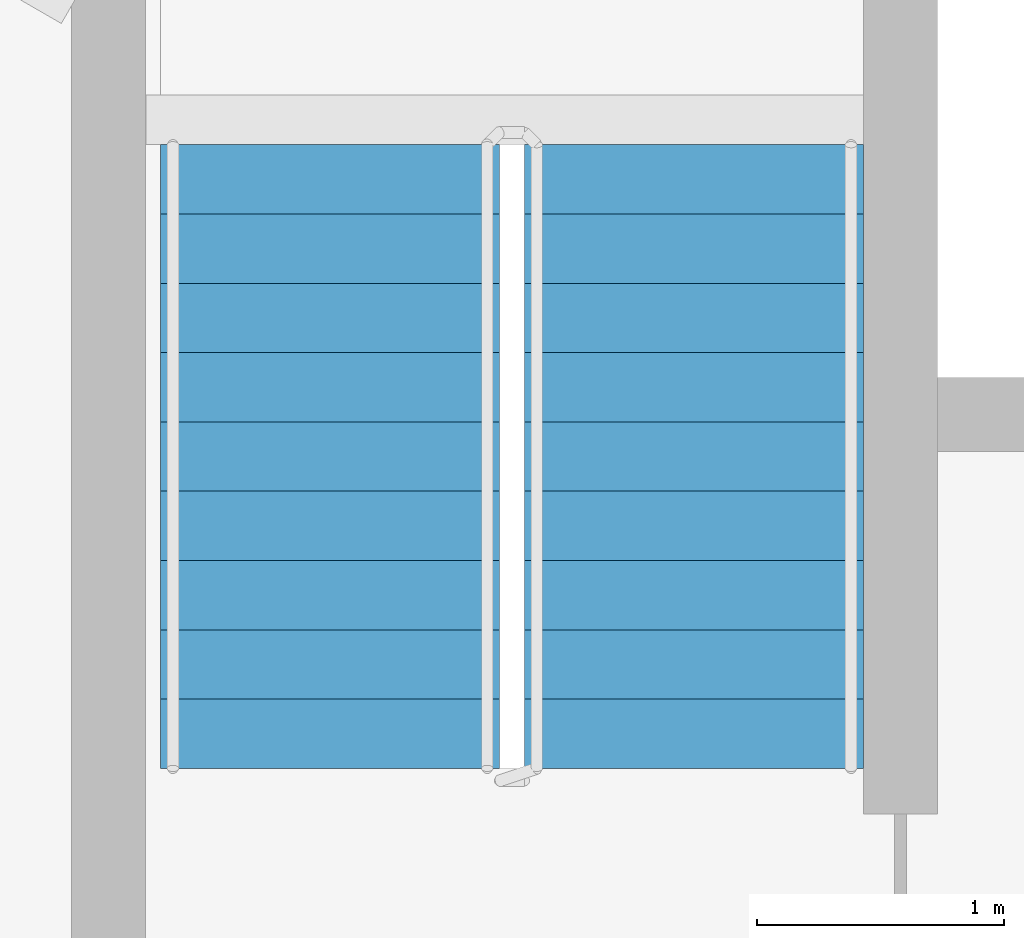
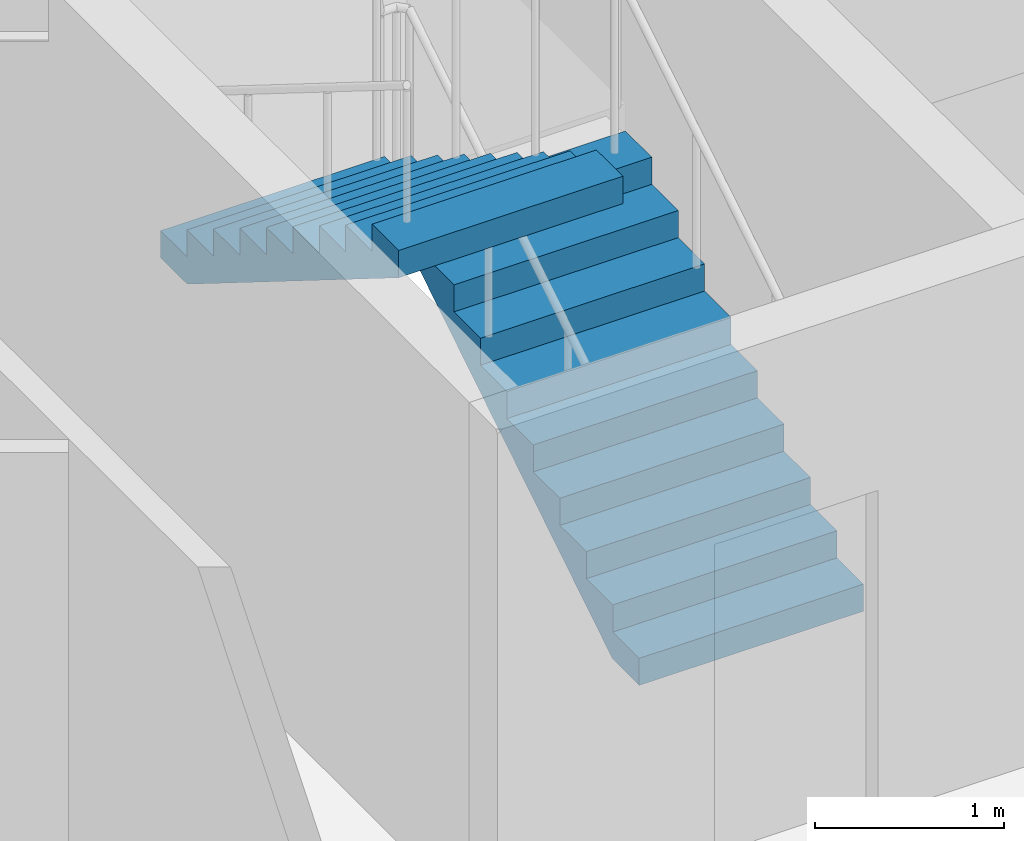
# One storey, part 22 of 24: 2 stair flights, 1 element without a shape of its own.
"""IFC4 building model written with IfcOpenShell, lengths in metres."""

from ifc_helpers import new_model, si_unit, direction, frame, origin, place, context, subcontext, project, spatial, polyline, outline, extrude, material, type_object, element, aggregate, save


model = new_model("IFC4")

# Units and contexts
model_context = context("Model", 3, precision=1e-05, world=origin(), true_north=direction((0.0, 1.0)))
body_context = subcontext(model_context, "Body", "Model", "MODEL_VIEW")
ifc_project = project(units=[si_unit("LENGTHUNIT", "METRE"), si_unit("AREAUNIT", "SQUARE_METRE"), si_unit("VOLUMEUNIT", "CUBIC_METRE"), si_unit("PLANEANGLEUNIT", "RADIAN"), si_unit("MASSUNIT", "GRAM", prefix="KILO")], contexts=[model_context])

# Site, building, storey
site_placement = place(None, origin())
site = spatial("IfcSite", under=ifc_project, at=site_placement, CompositionType="ELEMENT")
building_placement = place(site_placement, origin())
building = spatial("IfcBuilding", under=site, at=building_placement, Name="Firuza Gate Tower and Library", CompositionType="ELEMENT")
storey_placement = place(building_placement, frame((0.0, 0.0, 260.10009765625)))
storey = spatial("IfcBuildingStorey", under=building, at=storey_placement, Name="L61", CompositionType="ELEMENT", Elevation=260.10009765625)

# Stair, stair flights
ifc_material_1 = material(Name="Concrete C35/45", Category="concrete")
stair_type = type_object("IfcStairType", Name="Exit stair ST17", PredefinedType="HALF_TURN_STAIR", material=ifc_material_1)
stair_placement = place(storey_placement, origin())
stair = element("IfcStair", 1, at=stair_placement, inside=storey, type_object=stair_type, Name="L61 Stair ST3", PredefinedType="HALF_TURN_STAIR")
ifc_material_2 = material(Name="Concrete C35/45", Category="concrete")
stair_flight_type = type_object("IfcStairFlightType", Name="Stair flight 10 risers 175 width 1370", PredefinedType="STRAIGHT", material=ifc_material_2)
stair_flight_1_placement = place(storey_placement, frame((74.31494140625, 89.469970703125, 0.0), z_axis=(0.0, 0.0, 1.0), x_axis=(0.0, 1.0, 0.0)))
stair_flight_1 = element("IfcStairFlight", 2, at=stair_flight_1_placement, type_object=stair_flight_type, Name="ST3 flight 1", NumberOfRisers=10, NumberOfTreads=9, PredefinedType="STRAIGHT", RiserHeight=0.175, TreadLength=0.28, context=body_context, shape_type="SweptSolid", body=[
    extrude(outline(polyline([(0.0, 0.0), (0.0, 0.175048828125), (0.280029296875, 0.175048828125), (0.280029296875, 0.35009765625), (0.56005859375, 0.35009765625), (0.56005859375, 0.52490234375), (0.840087890625, 0.52490234375), (0.840087890625, 0.699951171875), (1.1201171875, 0.699951171875), (1.1201171875, 0.875), (1.39990234375, 0.875), (1.39990234375, 1.050048828125), (1.679931640625, 1.050048828125), (1.679931640625, 1.22509765625), (1.9599609375, 1.22509765625), (1.9599609375, 1.39990234375), (2.239990234375, 1.39990234375), (2.239990234375, 1.574951171875), (2.52001953125, 1.574951171875), (2.52001953125, 1.75), (2.52001953125, 1.398193359375), (0.28271484375, 0.0), (0.0, 0.0)])), frame((0.0, 0.68505859375, 0.0), z_axis=(0.0, -1.0, 0.0), x_axis=(1.0, 0.0, 0.0)), (0.0, 0.0, 1.0), 1.3701171875),
])
stair_flight_2_placement = place(storey_placement, frame((72.844970703125, 91.989990234375, 1.75), z_axis=(0.0, 0.0, 1.0), x_axis=(0.0, -1.0, 0.0)))
stair_flight_2 = element("IfcStairFlight", 3, at=stair_flight_2_placement, type_object=stair_flight_type, Name="ST3 flight 2", NumberOfRisers=10, NumberOfTreads=9, PredefinedType="STRAIGHT", RiserHeight=0.175, TreadLength=0.28, context=body_context, shape_type="SweptSolid", body=[
    extrude(outline(polyline([(0.0, 0.0), (0.0, 0.175048828125), (0.280029296875, 0.175048828125), (0.280029296875, 0.35009765625), (0.56005859375, 0.35009765625), (0.56005859375, 0.52490234375), (0.840087890625, 0.52490234375), (0.840087890625, 0.699951171875), (1.1201171875, 0.699951171875), (1.1201171875, 0.875), (1.39990234375, 0.875), (1.39990234375, 1.050048828125), (1.679931640625, 1.050048828125), (1.679931640625, 1.22509765625), (1.9599609375, 1.22509765625), (1.9599609375, 1.39990234375), (2.239990234375, 1.39990234375), (2.239990234375, 1.574951171875), (2.52001953125, 1.574951171875), (2.52001953125, 1.75), (2.52001953125, 1.398193359375), (0.28271484375, 0.0), (0.0, 0.0)])), frame((0.0, 0.68505859375, 0.0), z_axis=(0.0, -1.0, 0.0), x_axis=(1.0, 0.0, 0.0)), (0.0, 0.0, 1.0), 1.3701171875),
])
aggregate(stair, [stair_flight_1, stair_flight_2])

save(model, "model.ifc")
